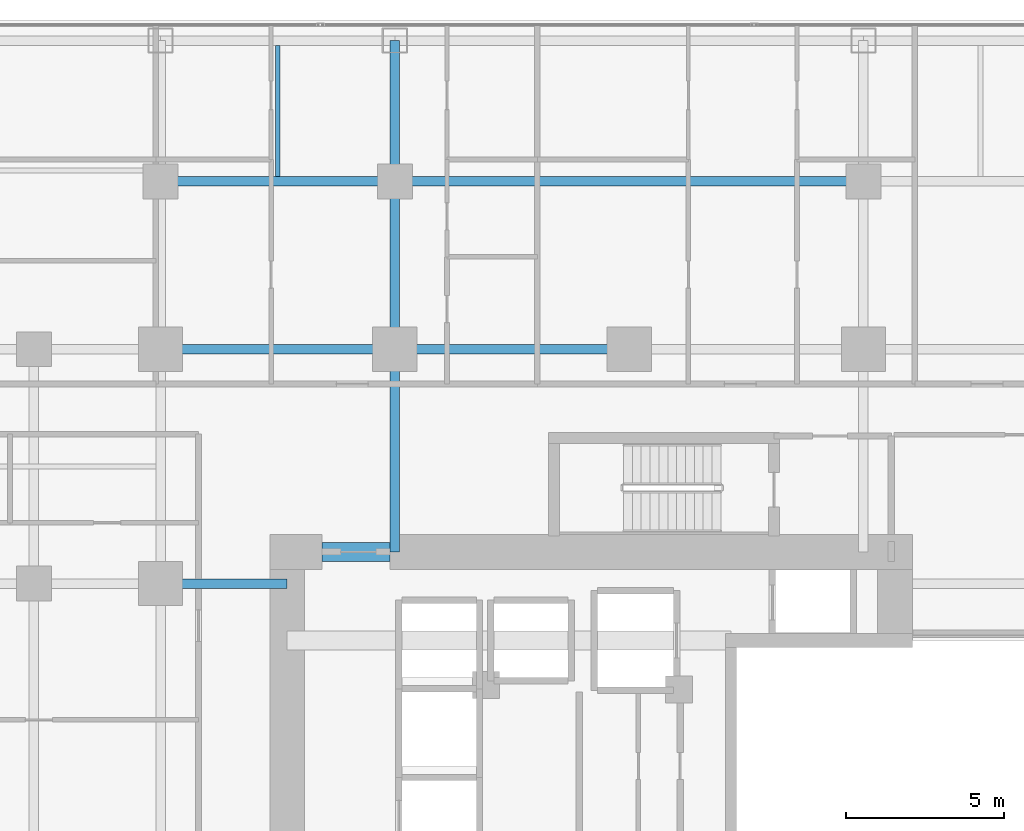
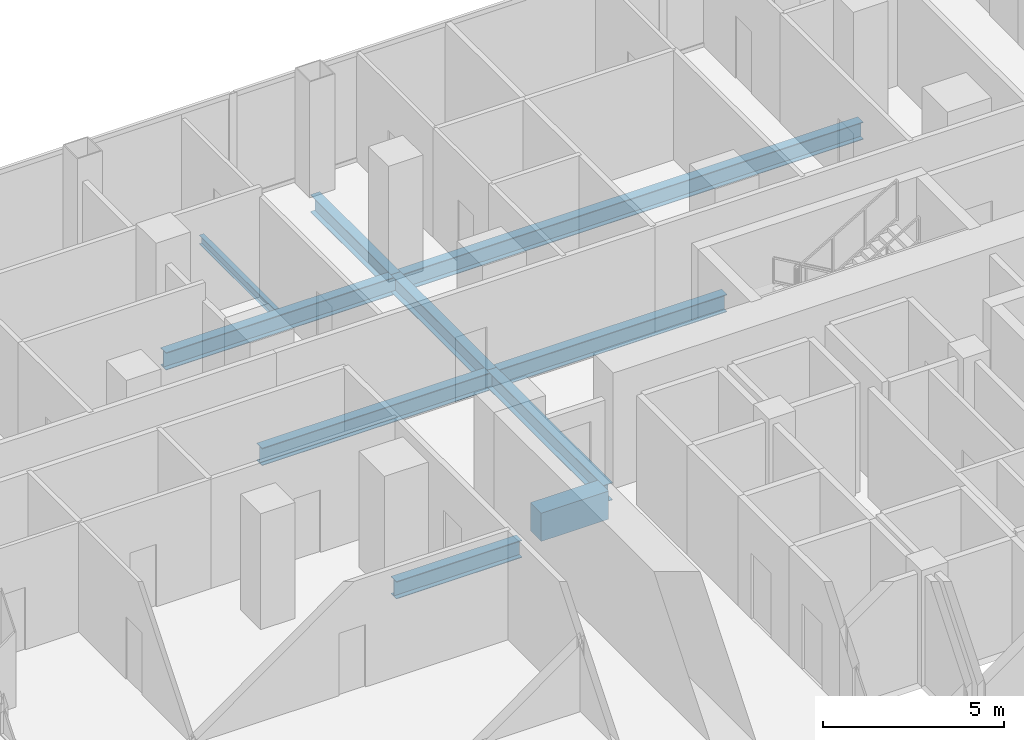
# One storey, part 14 of 29: 10 beams.
"""IFC4 building model written with IfcOpenShell, lengths in metres."""

from ifc_helpers import new_model, si_unit, direction, frame, origin, origin_2d, place, context, subcontext, project, spatial, rectangle, i_section, extrude, material, material_profile, profile_set, type_object, element, save


model = new_model("IFC4")

# Units and contexts
model_context = context("Model", 3, precision=1e-05, world=origin(), true_north=direction((0.0, 1.0)))
body_context = subcontext(model_context, "Body", "Model", "MODEL_VIEW")
ifc_project = project(units=[si_unit("LENGTHUNIT", "METRE"), si_unit("AREAUNIT", "SQUARE_METRE"), si_unit("VOLUMEUNIT", "CUBIC_METRE"), si_unit("PLANEANGLEUNIT", "RADIAN"), si_unit("MASSUNIT", "GRAM", prefix="KILO")], contexts=[model_context])

# Site, building, storey
site_placement = place(None, origin())
site = spatial("IfcSite", under=ifc_project, at=site_placement, CompositionType="ELEMENT")
building_placement = place(site_placement, origin())
building = spatial("IfcBuilding", under=site, at=building_placement, Name="Khorvyn Point Tower", CompositionType="ELEMENT")
storey_placement = place(building_placement, frame((0.0, 0.0, 69.60009765625)))
storey = spatial("IfcBuildingStorey", under=building, at=storey_placement, Name="L18", CompositionType="ELEMENT", Elevation=69.60009765625)

# Beams
ifc_material_1 = material(Name="Concrete C50/60", Category="concrete")
ifc_material_profile_1 = material_profile(ifc_material_1, rectangle(XDim=0.60009765625, YDim=0.949951171875, at=origin_2d()))
ifc_profile_set_1 = profile_set([ifc_material_profile_1], Name="Concrete C50/60 RC600x950")
beam_type_1 = type_object("IfcBeamType", Name="Concrete C50/60 Beam RC600x950", PredefinedType="BEAM", material=ifc_profile_set_1)
beam_1_placement = place(storey_placement, frame((-9.699951171875, 8.39990234375, -0.695068359375), z_axis=(1.0, 0.0, 0.0), x_axis=(0.0, 1.0, 0.0)))
element("IfcBeam", 1, at=beam_1_placement, inside=storey, type_object=beam_type_1, Name="L18 Core Northwest Portal Coupling Beam", PredefinedType="BEAM", context=body_context, shape_type="SweptSolid", body=[
    extrude(rectangle(XDim=0.60009765625, YDim=0.949951171875, at=origin_2d()), origin(), (0.0, 0.0, 1.0), 2.14990234375),
])
ifc_material_2 = material(Name="Steel S355", Category="steel")
ifc_material_profile_2 = material_profile(ifc_material_2, i_section(OverallWidth=0.300048828125, OverallDepth=0.587890625, WebThickness=0.011962890625, FlangeThickness=0.02001953125, at=origin_2d()))
ifc_profile_set_2 = profile_set([ifc_material_profile_2], Name="Steel S355 H588x300x12x20")
beam_type_2 = type_object("IfcBeamType", Name="Steel S355 Beam H588x300x12x20", PredefinedType="BEAM", material=ifc_profile_set_2)
beam_2_placement = place(storey_placement, frame((-14.800048828125, 14.800048828125, -0.51416015625), z_axis=(1.0, 0.0, 0.0), x_axis=(0.0, 1.0, 0.0)))
element("IfcBeam", 2, at=beam_2_placement, inside=storey, type_object=beam_type_2, Name="Beam", PredefinedType="BEAM", context=body_context, shape_type="SweptSolid", body=[
    extrude(i_section(OverallWidth=0.300048828125, OverallDepth=0.587890625, WebThickness=0.011962890625, FlangeThickness=0.02001953125, at=origin_2d()), origin(), (0.0, 0.0, 1.0), 7.400146484375),
])
beam_3_placement = place(storey_placement, frame((-7.39990234375, 14.800048828125, -0.51416015625), z_axis=(1.0, 0.0, 0.0), x_axis=(0.0, 1.0, 0.0)))
element("IfcBeam", 3, at=beam_3_placement, inside=storey, type_object=beam_type_2, Name="Beam", PredefinedType="BEAM", context=body_context, shape_type="SweptSolid", body=[
    extrude(i_section(OverallWidth=0.300048828125, OverallDepth=0.587890625, WebThickness=0.011962890625, FlangeThickness=0.02001953125, at=origin_2d()), origin(), (0.0, 0.0, 1.0), 7.39990234375),
])
beam_4_placement = place(storey_placement, frame((-14.800048828125, 7.39990234375, -0.51416015625), z_axis=(1.0, 0.0, 0.0), x_axis=(0.0, 1.0, 0.0)))
element("IfcBeam", 4, at=beam_4_placement, inside=storey, type_object=beam_type_2, Name="Beam", PredefinedType="BEAM", context=body_context, shape_type="SweptSolid", body=[
    extrude(i_section(OverallWidth=0.300048828125, OverallDepth=0.587890625, WebThickness=0.011962890625, FlangeThickness=0.02001953125, at=origin_2d()), origin(), (0.0, 0.0, 1.0), 4.0),
])
beam_5_placement = place(storey_placement, frame((-14.800048828125, 20.10009765625, -0.51416015625), z_axis=(1.0, 0.0, 0.0), x_axis=(0.0, 1.0, 0.0)))
element("IfcBeam", 5, at=beam_5_placement, inside=storey, type_object=beam_type_2, Name="Beam", PredefinedType="BEAM", context=body_context, shape_type="SweptSolid", body=[
    extrude(i_section(OverallWidth=0.300048828125, OverallDepth=0.587890625, WebThickness=0.011962890625, FlangeThickness=0.02001953125, at=origin_2d()), origin(), (0.0, 0.0, 1.0), 7.400146484375),
])
beam_6_placement = place(storey_placement, frame((-7.39990234375, 20.10009765625, -0.51416015625), z_axis=(1.0, 0.0, 0.0), x_axis=(0.0, 1.0, 0.0)))
element("IfcBeam", 6, at=beam_6_placement, inside=storey, type_object=beam_type_2, Name="Beam", PredefinedType="BEAM", context=body_context, shape_type="SweptSolid", body=[
    extrude(i_section(OverallWidth=0.300048828125, OverallDepth=0.587890625, WebThickness=0.011962890625, FlangeThickness=0.02001953125, at=origin_2d()), origin(), (0.0, 0.0, 1.0), 14.7998046875),
])
beam_7_placement = place(storey_placement, frame((-7.39990234375, 8.39990234375, -0.51416015625), z_axis=(0.0, 1.0, 0.0), x_axis=(-1.0, 0.0, 0.0)))
element("IfcBeam", 7, at=beam_7_placement, inside=storey, type_object=beam_type_2, Name="Beam", PredefinedType="BEAM", context=body_context, shape_type="SweptSolid", body=[
    extrude(i_section(OverallWidth=0.300048828125, OverallDepth=0.587890625, WebThickness=0.011962890625, FlangeThickness=0.02001953125, at=origin_2d()), origin(), (0.0, 0.0, 1.0), 6.400146484375),
])
beam_8_placement = place(storey_placement, frame((-7.39990234375, 14.800048828125, -0.51416015625), z_axis=(0.0, 1.0, 0.0), x_axis=(-1.0, 0.0, 0.0)))
element("IfcBeam", 8, at=beam_8_placement, inside=storey, type_object=beam_type_2, Name="Beam", PredefinedType="BEAM", context=body_context, shape_type="SweptSolid", body=[
    extrude(i_section(OverallWidth=0.300048828125, OverallDepth=0.587890625, WebThickness=0.011962890625, FlangeThickness=0.02001953125, at=origin_2d()), origin(), (0.0, 0.0, 1.0), 5.300048828125),
])
beam_9_placement = place(storey_placement, frame((-7.39990234375, 20.10009765625, -0.51416015625), z_axis=(0.0, 1.0, 0.0), x_axis=(-1.0, 0.0, 0.0)))
element("IfcBeam", 9, at=beam_9_placement, inside=storey, type_object=beam_type_2, Name="Beam", PredefinedType="BEAM", context=body_context, shape_type="SweptSolid", body=[
    extrude(i_section(OverallWidth=0.300048828125, OverallDepth=0.587890625, WebThickness=0.011962890625, FlangeThickness=0.02001953125, at=origin_2d()), origin(), (0.0, 0.0, 1.0), 4.449951171875),
])
ifc_material_profile_3 = material_profile(ifc_material_2, i_section(OverallWidth=0.14990234375, OverallDepth=0.300048828125, WebThickness=0.006591796875, FlangeThickness=0.009033203125, at=origin_2d()))
ifc_profile_set_3 = profile_set([ifc_material_profile_3], Name="Steel S355 H300x150x6.5x9")
beam_type_3 = type_object("IfcBeamType", Name="Steel S355 Joist H300x150x6.5x9", PredefinedType="JOIST", material=ifc_profile_set_3)
beam_10_placement = place(storey_placement, frame((-11.10009765625, 20.25, -0.3701171875), z_axis=(0.0, 1.0, 0.0), x_axis=(-1.0, 0.0, 0.0)))
element("IfcBeam", 10, at=beam_10_placement, inside=storey, type_object=beam_type_3, Name="Beam", PredefinedType="JOIST", context=body_context, shape_type="SweptSolid", body=[
    extrude(i_section(OverallWidth=0.14990234375, OverallDepth=0.300048828125, WebThickness=0.006591796875, FlangeThickness=0.009033203125, at=origin_2d()), origin(), (0.0, 0.0, 1.0), 4.14990234375),
])

save(model, "model.ifc")
